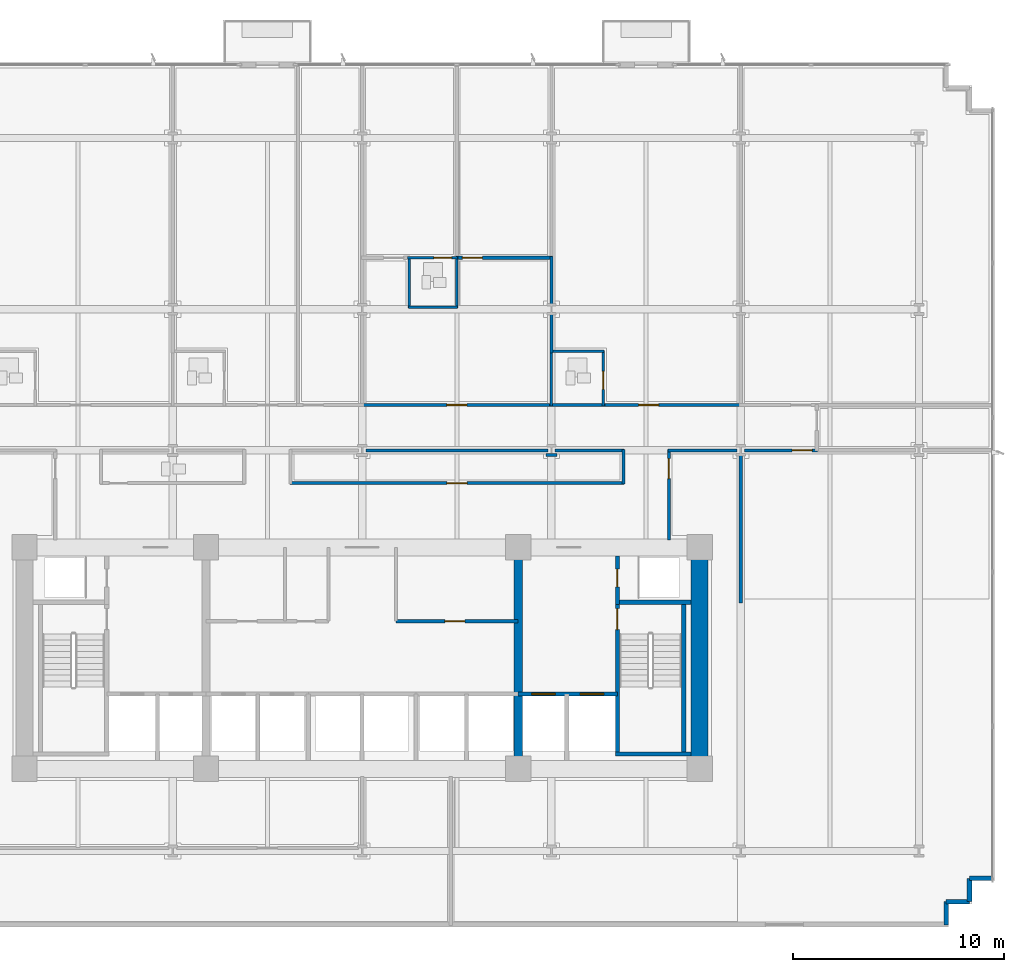
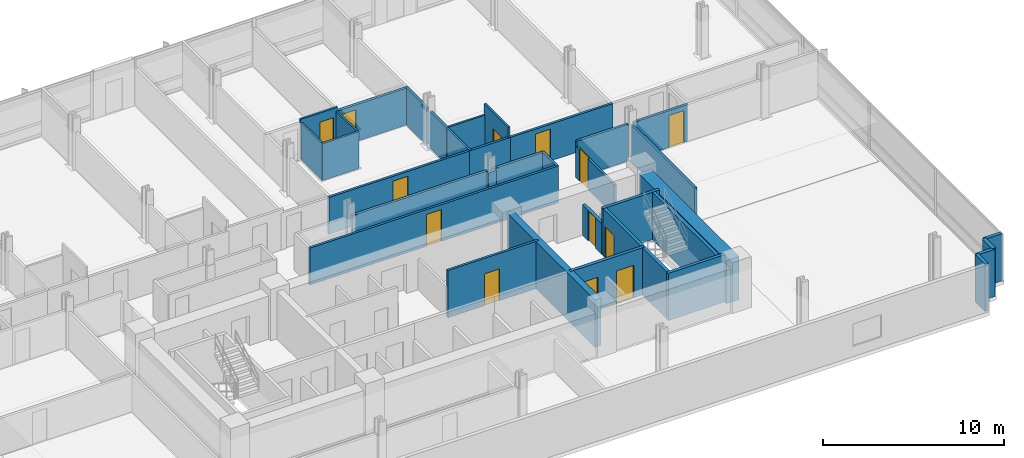
# One storey, part 10 of 16: 35 walls, 13 doors, 13 openings.
"""IFC4 building model written with IfcOpenShell, lengths in metres."""

import ifcopenshell
import ifcopenshell.guid

model = None  # the IFC model being written
_history = None  # IfcOwnerHistory: only IFC2X3 demands one
_inside = {}  # id of a spatial element -> (the spatial element, [elements in it])
_under = {}  # id of a project, library or spatial element -> (it, [spatial elements below it])
_declared = {}  # id of a project -> (the project, [libraries it declares])
_typed = {}  # id of a type object -> (the type object, [elements of that type])
_made_of = {}  # id of a material, layer set ... -> (it, [elements and type objects made of it])


def new_model(schema):
    """Start an empty IFC model of exactly this schema.

    Asked for "IFC4X3", IfcOpenShell would pick the latest addendum, in which some entities
    have other attributes; the version numbers below select the first issue.
    IFC2X3 requires an IfcOwnerHistory on every rooted entity: one is made here for all.
    """
    global model, _history
    if schema == "IFC4X3":
        model = ifcopenshell.file(schema_version=(4, 3, 0, 0))
    else:
        model = ifcopenshell.file(schema=schema)
    _inside.clear()
    _under.clear()
    _declared.clear()
    _typed.clear()
    _made_of.clear()
    _history = None
    if model.schema == "IFC2X3":
        org = make("IfcOrganization", Name="unknown")
        user = make(
            "IfcPersonAndOrganization",
            ThePerson=make("IfcPerson", FamilyName="unknown"),
            TheOrganization=org,
        )
        app = make(
            "IfcApplication",
            ApplicationDeveloper=org,
            Version="unknown",
            ApplicationFullName="unknown",
            ApplicationIdentifier="unknown",
        )
        _history = make(
            "IfcOwnerHistory",
            OwningUser=user,
            OwningApplication=app,
            ChangeAction="ADDED",
            CreationDate=0,
        )
    return model


def make(cls, **values):
    """One entity of the class cls with the attributes given. An attribute that is None is left unset."""
    return model.create_entity(
        cls, **{name: value for name, value in values.items() if value is not None}
    )


def rooted(cls, **values):
    """An entity with a GlobalId (a new one), such as an element, a storey or a relation."""
    return make(cls, GlobalId=ifcopenshell.guid.new(), OwnerHistory=_history, **values)


def si_unit(unit_type, name, prefix=None):
    """IfcSIUnit, for example si_unit("LENGTHUNIT", "METRE", prefix="MILLI")."""
    return make("IfcSIUnit", UnitType=unit_type, Prefix=prefix, Name=name)


def assignment(units):
    """IfcUnitAssignment: the units of a project."""
    return None if units is None else make("IfcUnitAssignment", Units=units)


def point(xyz):
    """IfcCartesianPoint."""
    return None if xyz is None else make("IfcCartesianPoint", Coordinates=xyz)


def direction(xyz):
    """IfcDirection."""
    return None if xyz is None else make("IfcDirection", DirectionRatios=xyz)


def frame(location, z_axis=None, x_axis=None):
    """IfcAxis2Placement3D, a coordinate frame: its origin and axes. An axis left out is left unset."""
    return make(
        "IfcAxis2Placement3D",
        Location=point(location),
        Axis=direction(z_axis),
        RefDirection=direction(x_axis),
    )


def frame_2d(location, x_axis=None):
    """IfcAxis2Placement2D, a coordinate frame in the plane: its origin and x axis."""
    return make(
        "IfcAxis2Placement2D", Location=point(location), RefDirection=direction(x_axis)
    )


def origin():
    """The frame at (0, 0, 0) with its axes left unset."""
    return frame((0.0, 0.0, 0.0))


def place(relative_to, where):
    """IfcLocalPlacement: puts the frame where relative to a parent placement (None: the world)."""
    return make(
        "IfcLocalPlacement", PlacementRelTo=relative_to, RelativePlacement=where
    )


def context(
    kind, dimensions, precision=None, world=None, true_north=None, identifier=None
):
    """IfcGeometricRepresentationContext, for example the 3D "Model" context."""
    return make(
        "IfcGeometricRepresentationContext",
        ContextIdentifier=identifier,
        ContextType=kind,
        CoordinateSpaceDimension=dimensions,
        Precision=precision,
        WorldCoordinateSystem=world,
        TrueNorth=true_north,
    )


def subcontext(parent, identifier, kind, view, scale=None):
    """IfcGeometricRepresentationSubContext, for example "Body" below "Model"."""
    return make(
        "IfcGeometricRepresentationSubContext",
        ContextIdentifier=identifier,
        ContextType=kind,
        ParentContext=parent,
        TargetScale=scale,
        TargetView=view,
    )


def project(units=None, contexts=None):
    """IfcProject with its units and contexts."""
    return rooted(
        "IfcProject",
        Name="project",
        RepresentationContexts=contexts,
        UnitsInContext=assignment(units),
    )


def spatial(cls, under=None, at=None, **own):
    """A site, building, storey or space (cls), placed at a placement, below another one or the project."""
    s = rooted(cls, ObjectPlacement=at, **own)
    if under is not None:
        _under.setdefault(under.id(), (under, []))[1].append(s)
    return s


def profile(cls, at=None, kind="AREA", **sizes):
    """A parametric profile (cls). Its sizes go by their IFC names, for example OverallWidth=200.0."""
    return make(cls, ProfileType=kind, Position=at, **sizes)


def rectangle(**sizes):
    """IfcRectangleProfileDef."""
    return profile("IfcRectangleProfileDef", **sizes)


def extrude(swept, where, along, depth):
    """IfcExtrudedAreaSolid: the profile swept, set in the frame where, extruded along a direction by depth."""
    return make(
        "IfcExtrudedAreaSolid",
        SweptArea=swept,
        Position=where,
        ExtrudedDirection=direction(along),
        Depth=depth,
    )


def shape(context_of_items, identifier, shape_type, items):
    """IfcShapeRepresentation: the items that make up one representation, for example the "Body"."""
    return make(
        "IfcShapeRepresentation",
        ContextOfItems=context_of_items,
        RepresentationIdentifier=identifier,
        RepresentationType=shape_type,
        Items=items,
    )


def material(Name=None, Category=None):
    """IfcMaterial."""
    return make("IfcMaterial", Name=Name, Category=Category)


def layer(
    of_material, thickness, ventilated=None, Name=None, Category=None, Priority=None
):
    """IfcMaterialLayer: one layer of a wall or slab, of a material (None: an air gap)."""
    return make(
        "IfcMaterialLayer",
        Material=of_material,
        LayerThickness=thickness,
        IsVentilated=ventilated,
        Name=Name,
        Category=Category,
        Priority=Priority,
    )


def layer_set(layers, Name=None):
    """IfcMaterialLayerSet."""
    return make("IfcMaterialLayerSet", MaterialLayers=layers, LayerSetName=Name)


def made_of(thing, what):
    """Note that an element or type object is made of a material, layer set ...; save() writes the relation."""
    if what is not None:
        _made_of.setdefault(what.id(), (what, []))[1].append(thing)
    return thing


def type_object(cls, material=None, **own):
    """A type object (cls), such as IfcWallType, which elements share."""
    return made_of(rooted(cls, **own), material)


def element(
    cls,
    number,
    at=None,
    inside=None,
    cuts=None,
    type_object=None,
    material=None,
    context=None,
    identifier="Body",
    shape_type=None,
    held_by="IfcProductDefinitionShape",
    body=None,
    shapes=None,
    **own,
):
    """One element of the class cls, such as IfcWall. Its Tag is "e" and its number.

    at: its placement. inside: the storey or other place that contains it. cuts: it is an
    opening in that element (IfcRelVoidsElement). A single representation is given by context,
    identifier, shape_type and body (its items); several are given by shapes. held_by: the class
    of the entity that holds the representations. save() writes the other relations.
    """
    e = rooted(cls, Tag="e%d" % number, ObjectPlacement=at, **own)
    if body is not None:
        shapes = [shape(context, identifier, shape_type, body)]
    if shapes is not None:
        e.Representation = make(held_by, Representations=shapes)
    if inside is not None:
        _inside.setdefault(inside.id(), (inside, []))[1].append(e)
    if cuts is not None:
        rooted(
            "IfcRelVoidsElement", RelatingBuildingElement=cuts, RelatedOpeningElement=e
        )
    if type_object is not None:
        _typed.setdefault(type_object.id(), (type_object, []))[1].append(e)
    return made_of(e, material)


def fill(opening, filler):
    """IfcRelFillsElement: the door or window that sits in an opening."""
    return rooted(
        "IfcRelFillsElement",
        RelatingOpeningElement=opening,
        RelatedBuildingElement=filler,
    )


def aggregate(whole, parts):
    """IfcRelAggregates: a whole, such as a stair, and the parts it consists of."""
    return rooted("IfcRelAggregates", RelatingObject=whole, RelatedObjects=parts)


def save(model, path):
    """Write the relations noted so far, then the file.

    IfcRelAggregates (storeys below a building ...), IfcRelContainedInSpatialStructure (elements
    in a storey), IfcRelDefinesByType, IfcRelAssociatesMaterial and IfcRelDeclares: one each for
    every whole, place, type object, material and project.
    """
    for whole, parts in _under.values():
        aggregate(whole, parts)
    for where, things in _inside.values():
        rooted(
            "IfcRelContainedInSpatialStructure",
            RelatedElements=things,
            RelatingStructure=where,
        )
    for kind, things in _typed.values():
        rooted("IfcRelDefinesByType", RelatedObjects=things, RelatingType=kind)
    for what, things in _made_of.values():
        rooted("IfcRelAssociatesMaterial", RelatedObjects=things, RelatingMaterial=what)
    for by, libraries in _declared.values():
        rooted("IfcRelDeclares", RelatingContext=by, RelatedDefinitions=libraries)
    model.write(path)


model = new_model("IFC4")

# Units and contexts
model_context = context("Model", 3, precision=1e-05, world=origin(), true_north=direction((0.0, 1.0)))
body_context = subcontext(model_context, "Body", "Model", "MODEL_VIEW")
ifc_project = project(units=[si_unit("LENGTHUNIT", "METRE"), si_unit("AREAUNIT", "SQUARE_METRE"), si_unit("VOLUMEUNIT", "CUBIC_METRE"), si_unit("PLANEANGLEUNIT", "RADIAN"), si_unit("MASSUNIT", "GRAM", prefix="KILO")], contexts=[model_context])

# Site, building, storey
site_placement = place(None, origin())
site = spatial("IfcSite", under=ifc_project, at=site_placement, CompositionType="ELEMENT")
building_placement = place(site_placement, origin())
building = spatial("IfcBuilding", under=site, at=building_placement, Name="Solmavex Isthmus Hotel", CompositionType="ELEMENT")
storey_placement = place(building_placement, frame((0.0, 0.0, 29.85009765625)))
storey = spatial("IfcBuildingStorey", under=building, at=storey_placement, Name="L07", CompositionType="ELEMENT", Elevation=29.85009765625)

# Walls
ifc_material_1 = material(Name="Precast Concrete C40/50", Category="concrete")
ifc_layer_1 = layer(ifc_material_1, 0.25)
ifc_layer_set_1 = layer_set([ifc_layer_1], Name="Precast Concrete C40/50")
wall_type_1 = type_object("IfcWallType", Name="EW-TWR-250", PredefinedType="STANDARD", material=ifc_layer_set_1)
wall_1_placement = place(storey_placement, frame((29.889892578125, -18.18994140625, 0.0), z_axis=(0.0, 0.0, 1.0), x_axis=(-1.0, 0.0, 0.0)))
element("IfcWall", 1, at=wall_1_placement, inside=storey, type_object=wall_type_1, Name="Serrated Corner Facade Panel L07-16", PredefinedType="STANDARD", context=body_context, shape_type="SweptSolid", body=[
    extrude(rectangle(XDim=1.099853515625, YDim=0.219970703125, at=frame_2d((0.5498046875, 0.0))), origin(), (0.0, 0.0, 1.0), 3.18994140625),
])
for number, where, z_axis, x_axis, name in (
    (2, (28.7900390625, -18.18994140625, 0.0), (0.0, 0.0, 1.0), (0.0, -1.0, 0.0), "Serrated Corner Facade Panel L07-17"),
    (3, (28.7900390625, -19.2900390625, 0.0), (0.0, 0.0, 1.0), (-1.0, 0.0, 0.0), "Serrated Corner Facade Panel L07-18"),
):
    element("IfcWall", number, at=place(storey_placement, frame(where, z_axis=z_axis, x_axis=x_axis)), inside=storey, type_object=wall_type_1, Name=name, PredefinedType="STANDARD", context=body_context, shape_type="SweptSolid", body=[
        extrude(rectangle(XDim=1.10009765625, YDim=0.219970703125, at=frame_2d((0.550048828125, 0.0))), origin(), (0.0, 0.0, 1.0), 3.18994140625),
    ])
wall_2_placement = place(storey_placement, frame((27.68994140625, -19.2900390625, 0.0), z_axis=(0.0, 0.0, 1.0), x_axis=(0.0, -1.0, 0.0)))
element("IfcWall", 4, at=wall_2_placement, inside=storey, type_object=wall_type_1, Name="Serrated Corner Facade Panel L07-19", PredefinedType="STANDARD", context=body_context, shape_type="SweptSolid", body=[
    extrude(rectangle(XDim=1.099853515625, YDim=0.219970703125, at=frame_2d((0.5498046875, 0.0))), origin(), (0.0, 0.0, 1.0), 3.18994140625),
])

# Wall, opening, door
ifc_material_2 = material(Name="Gypsum plasterboard lining", Category="gypsum")
ifc_layer_2 = layer(ifc_material_2, 0.159912109375)
ifc_layer_set_2 = layer_set([ifc_layer_2], Name="Gypsum plasterboard lining")
wall_type_2 = type_object("IfcWallType", Name="IW-COMP-160", PredefinedType="PARTITIONING", material=ifc_layer_set_2)
wall_3_placement = place(storey_placement, frame((4.447998046875, 11.238037109375, 0.0), z_axis=(0.0, 0.0, 1.0), x_axis=(1.0, 0.0, 0.0)))
wall_3 = element("IfcWall", 5, at=wall_3_placement, inside=storey, type_object=wall_type_2, Name="Interior Partition Wall W-L07-P060", PredefinedType="PARTITIONING", context=body_context, shape_type="SweptSolid", body=[
    extrude(rectangle(XDim=4.568115234375, YDim=0.159912109375, at=frame_2d((2.2841796875, 0.0))), origin(), (0.0, 0.0, 1.0), 2.4794921875),
])
opening_1_placement = place(wall_3_placement, frame((0.301025390625, 0.0, 0.0)))
opening_1 = element("IfcOpeningElement", 6, at=opening_1_placement, cuts=wall_3, Name="Opening ID-C095", PredefinedType="OPENING", context=body_context, shape_type="SweptSolid", body=[
    extrude(rectangle(XDim=0.949951171875, YDim=2.14990234375, at=frame_2d((0.47509765625, 1.074951171875))), frame((0.0, 0.08984375, 0.0), z_axis=(0.0, -1.0, 0.0), x_axis=(1.0, 0.0, 0.0)), (0.0, 0.0, 1.0), 0.179931640625),
])
ifc_material_3 = material(Name="Hardwood timber", Category="wood")
door_type_1 = type_object("IfcDoorType", Name="IDR-FD60-0950", OperationType="NOTDEFINED", PredefinedType="DOOR", material=ifc_material_3)
door_1_placement = place(opening_1_placement, origin())
door_1 = element("IfcDoor", 7, at=door_1_placement, inside=storey, type_object=door_type_1, Name="Diplomatic Hospitality Suite Sitting Lounge Door L07-12", OperationType="SINGLE_SWING_RIGHT", OverallHeight=2.14990234375, OverallWidth=0.949951171875, PredefinedType="DOOR", context=body_context, shape_type="SweptSolid", body=[
    extrude(rectangle(XDim=0.949951171875, YDim=2.14990234375, at=frame_2d((0.47509765625, 1.074951171875))), frame((0.0, 0.02490234375, 0.0), z_axis=(0.0, -1.0, 0.0), x_axis=(1.0, 0.0, 0.0)), (0.0, 0.0, 1.0), 0.050048828125),
])
fill(opening_1, door_1)

# Walls
wall_4_placement = place(storey_placement, frame((8.97607421875, 8.613037109375, 0.0), z_axis=(0.0, 0.0, 1.0), x_axis=(0.0, -1.0, 0.0)))
element("IfcWall", 8, at=wall_4_placement, inside=storey, type_object=wall_type_2, Name="Interior Partition Wall W-L07-P064", PredefinedType="PARTITIONING", context=body_context, shape_type="SweptSolid", body=[
    extrude(rectangle(XDim=1.89501953125, YDim=0.159912109375, at=frame_2d((0.947509765625, 0.0))), origin(), (0.0, 0.0, 1.0), 2.4794921875),
])
wall_5_placement = place(storey_placement, frame((8.97607421875, 11.278076171875, 0.0), z_axis=(0.0, 0.0, 1.0), x_axis=(0.0, -1.0, 0.0)))
element("IfcWall", 9, at=wall_5_placement, inside=storey, type_object=wall_type_2, Name="Interior Partition Wall W-L07-P065", PredefinedType="PARTITIONING", context=body_context, shape_type="SweptSolid", body=[
    extrude(rectangle(XDim=2.315185546875, YDim=0.159912109375, at=frame_2d((1.15771484375, 0.0))), origin(), (0.0, 0.0, 1.0), 2.4794921875),
])
wall_6_placement = place(storey_placement, frame((17.951904296875, -5.139892578125, 0.0), z_axis=(0.0, 0.0, 1.0), x_axis=(0.0, 1.0, 0.0)))
element("IfcWall", 10, at=wall_6_placement, inside=storey, type_object=wall_type_2, Name="Interior Partition Wall W-L07-P083", PredefinedType="PARTITIONING", context=body_context, shape_type="SweptSolid", body=[
    extrude(rectangle(XDim=7.06494140625, YDim=0.159912109375, at=frame_2d((3.532470703125, 0.0))), origin(), (0.0, 0.0, 1.0), 2.4794921875),
])

# Wall, opening, door
ifc_layer_3 = layer(ifc_material_2, 0.14990234375)
ifc_layer_set_3 = layer_set([ifc_layer_3], Name="Gypsum plasterboard lining")
wall_type_3 = type_object("IfcWallType", Name="IW-CORR-150", PredefinedType="PARTITIONING", material=ifc_layer_set_3)
wall_7_placement = place(storey_placement, frame((1.60009765625, -6.0, 0.0), z_axis=(0.0, 0.0, 1.0), x_axis=(1.0, 0.0, 0.0)))
wall_7 = element("IfcWall", 11, at=wall_7_placement, inside=storey, type_object=wall_type_3, Name="Interior Partition Wall W-L07-BOH-ES", PredefinedType="PARTITIONING", context=body_context, shape_type="SweptSolid", body=[
    extrude(rectangle(XDim=5.7998046875, YDim=0.14990234375, at=frame_2d((2.89990234375, 0.0))), origin(), (0.0, 0.0, 1.0), 3.18994140625),
])
opening_2_placement = place(wall_7_placement, frame((2.324951171875, 0.0, 0.0)))
opening_2 = element("IfcOpeningElement", 12, at=opening_2_placement, cuts=wall_7, Name="Opening ID-C095", PredefinedType="OPENING", context=body_context, shape_type="SweptSolid", body=[
    extrude(rectangle(XDim=0.949951171875, YDim=2.14990234375, at=frame_2d((0.47509765625, 1.074951171875))), frame((0.0, 0.0849609375, 0.0), z_axis=(0.0, -1.0, 0.0), x_axis=(1.0, 0.0, 0.0)), (0.0, 0.0, 1.0), 0.169921875),
])
door_2_placement = place(opening_2_placement, frame((0.949951171875, 0.0, 0.0), z_axis=(0.0, 0.0, 1.0), x_axis=(-1.0, 0.0, 0.0)))
door_2 = element("IfcDoor", 13, at=door_2_placement, inside=storey, type_object=door_type_1, Name="Butler Pantry Door L07", OperationType="SINGLE_SWING_RIGHT", OverallHeight=2.14990234375, OverallWidth=0.949951171875, PredefinedType="DOOR", context=body_context, shape_type="SweptSolid", body=[
    extrude(rectangle(XDim=0.949951171875, YDim=2.14990234375, at=frame_2d((0.47509765625, 1.074951171875))), frame((0.0, 0.02490234375, 0.0), z_axis=(0.0, -1.0, 0.0), x_axis=(1.0, 0.0, 0.0)), (0.0, 0.0, 1.0), 0.050048828125),
])
fill(opening_2, door_2)

wall_8_placement = place(storey_placement, frame((-0.08203125, 4.25, 0.0), z_axis=(0.0, 0.0, 1.0), x_axis=(1.0, 0.0, 0.0)))
wall_8 = element("IfcWall", 14, at=wall_8_placement, inside=storey, type_object=wall_type_3, Name="Interior Partition Wall W-L07-P007", PredefinedType="PARTITIONING", context=body_context, shape_type="SweptSolid", body=[
    extrude(rectangle(XDim=9.14013671875, YDim=0.14990234375, at=frame_2d((4.570068359375, 0.0))), origin(), (0.0, 0.0, 1.0), 2.4794921875),
])
opening_3_placement = place(wall_8_placement, frame((4.094970703125, 0.0, 0.0)))
opening_3 = element("IfcOpeningElement", 15, at=opening_3_placement, cuts=wall_8, Name="Opening ID-C095", PredefinedType="OPENING", context=body_context, shape_type="SweptSolid", body=[
    extrude(rectangle(XDim=0.949951171875, YDim=2.14990234375, at=frame_2d((0.47509765625, 1.074951171875))), frame((0.0, 0.0849609375, 0.0), z_axis=(0.0, -1.0, 0.0), x_axis=(1.0, 0.0, 0.0)), (0.0, 0.0, 1.0), 0.169921875),
])
door_3_placement = place(opening_3_placement, origin())
door_3 = element("IfcDoor", 16, at=door_3_placement, inside=storey, type_object=door_type_1, Name="Diplomatic Hospitality Suite Reception Foyer Door L07-10", OperationType="SINGLE_SWING_RIGHT", OverallHeight=2.14990234375, OverallWidth=0.949951171875, PredefinedType="DOOR", context=body_context, shape_type="SweptSolid", body=[
    extrude(rectangle(XDim=0.949951171875, YDim=2.14990234375, at=frame_2d((0.47509765625, 1.074951171875))), frame((0.0, 0.02490234375, 0.0), z_axis=(0.0, -1.0, 0.0), x_axis=(1.0, 0.0, 0.0)), (0.0, 0.0, 1.0), 0.050048828125),
])
fill(opening_3, door_3)

wall_9_placement = place(storey_placement, frame((11.343994140625, 4.25, 0.0), z_axis=(0.0, 0.0, 1.0), x_axis=(1.0, 0.0, 0.0)))
wall_9 = element("IfcWall", 17, at=wall_9_placement, inside=storey, type_object=wall_type_3, Name="Interior Partition Wall W-L07-P008", PredefinedType="PARTITIONING", context=body_context, shape_type="SweptSolid", body=[
    extrude(rectangle(XDim=6.68994140625, YDim=0.14990234375, at=frame_2d((3.344970703125, 0.0))), origin(), (0.0, 0.0, 1.0), 2.4794921875),
])
opening_4_placement = place(wall_9_placement, frame((1.759521484375, 0.0, 0.0)))
opening_4 = element("IfcOpeningElement", 18, at=opening_4_placement, cuts=wall_9, Name="Opening ID-C095", PredefinedType="OPENING", context=body_context, shape_type="SweptSolid", body=[
    extrude(rectangle(XDim=0.949951171875, YDim=2.14990234375, at=frame_2d((0.47509765625, 1.074951171875))), frame((0.0, 0.0849609375, 0.0), z_axis=(0.0, -1.0, 0.0), x_axis=(1.0, 0.0, 0.0)), (0.0, 0.0, 1.0), 0.169921875),
])
door_4_placement = place(opening_4_placement, origin())
door_4 = element("IfcDoor", 19, at=door_4_placement, inside=storey, type_object=door_type_1, Name="Diplomatic Suite Door L07-14", OperationType="SINGLE_SWING_RIGHT", OverallHeight=2.14990234375, OverallWidth=0.949951171875, PredefinedType="DOOR", context=body_context, shape_type="SweptSolid", body=[
    extrude(rectangle(XDim=0.949951171875, YDim=2.14990234375, at=frame_2d((0.47509765625, 1.074951171875))), frame((0.0, 0.02490234375, 0.0), z_axis=(0.0, -1.0, 0.0), x_axis=(1.0, 0.0, 0.0)), (0.0, 0.0, 1.0), 0.050048828125),
])
fill(opening_4, door_4)

# Walls
wall_10_placement = place(storey_placement, frame((8.89404296875, 4.25, 0.0), z_axis=(0.0, 0.0, 1.0), x_axis=(1.0, 0.0, 0.0)))
element("IfcWall", 20, at=wall_10_placement, inside=storey, type_object=wall_type_3, Name="Interior Partition Wall W-L07-P009", PredefinedType="PARTITIONING", context=body_context, shape_type="SweptSolid", body=[
    extrude(rectangle(XDim=2.614013671875, YDim=0.14990234375, at=frame_2d((1.30712890625, 0.0))), origin(), (0.0, 0.0, 1.0), 2.4794921875),
])
wall_11_placement = place(storey_placement, frame((8.801025390625, 2.10009765625, 0.0), z_axis=(0.0, 0.0, 1.0), x_axis=(-1.0, 0.0, 0.0)))
element("IfcWall", 21, at=wall_11_placement, inside=storey, type_object=wall_type_3, Name="Interior Partition Wall W-L07-P019", PredefinedType="PARTITIONING", context=body_context, shape_type="SweptSolid", body=[
    extrude(rectangle(XDim=8.6259765625, YDim=0.14990234375, at=frame_2d((4.31298828125, 0.0))), origin(), (0.0, 0.0, 1.0), 2.4794921875),
])

# Wall, opening, door
wall_12_placement = place(storey_placement, frame((-3.427978515625, 0.550048828125, 0.0), z_axis=(0.0, 0.0, 1.0), x_axis=(1.0, 0.0, 0.0)))
wall_12 = element("IfcWall", 22, at=wall_12_placement, inside=storey, type_object=wall_type_3, Name="Interior Partition Wall W-L07-P023", PredefinedType="PARTITIONING", context=body_context, shape_type="SweptSolid", body=[
    extrude(rectangle(XDim=15.85205078125, YDim=0.14990234375, at=frame_2d((7.926025390625, 0.0))), origin(), (0.0, 0.0, 1.0), 2.4794921875),
])
opening_5_placement = place(wall_12_placement, frame((7.450927734375, 0.0, 0.0)))
opening_5 = element("IfcOpeningElement", 23, at=opening_5_placement, cuts=wall_12, Name="Opening ID-C095", PredefinedType="OPENING", context=body_context, shape_type="SweptSolid", body=[
    extrude(rectangle(XDim=0.949951171875, YDim=2.14990234375, at=frame_2d((0.47509765625, 1.074951171875))), frame((0.0, 0.0849609375, 0.0), z_axis=(0.0, -1.0, 0.0), x_axis=(1.0, 0.0, 0.0)), (0.0, 0.0, 1.0), 0.169921875),
])
door_5_placement = place(opening_5_placement, origin())
door_5 = element("IfcDoor", 24, at=door_5_placement, inside=storey, type_object=door_type_1, Name="Business Briefing Office Door L07-20", OperationType="SINGLE_SWING_RIGHT", OverallHeight=2.14990234375, OverallWidth=0.949951171875, PredefinedType="DOOR", context=body_context, shape_type="SweptSolid", body=[
    extrude(rectangle(XDim=0.949951171875, YDim=2.14990234375, at=frame_2d((0.47509765625, 1.074951171875))), frame((0.0, 0.02490234375, 0.0), z_axis=(0.0, -1.0, 0.0), x_axis=(1.0, 0.0, 0.0)), (0.0, 0.0, 1.0), 0.050048828125),
])
fill(opening_5, door_5)

# Walls
wall_13_placement = place(storey_placement, frame((12.384033203125, 0.510009765625, 0.0), z_axis=(0.0, 0.0, 1.0), x_axis=(0.0, 1.0, 0.0)))
element("IfcWall", 25, at=wall_13_placement, inside=storey, type_object=wall_type_3, Name="Interior Partition Wall W-L07-P024", PredefinedType="PARTITIONING", context=body_context, shape_type="SweptSolid", body=[
    extrude(rectangle(XDim=1.6298828125, YDim=0.14990234375, at=frame_2d((0.81494140625, 0.0))), origin(), (0.0, 0.0, 1.0), 2.4794921875),
])
wall_14_placement = place(storey_placement, frame((12.424072265625, 2.10009765625, 0.0), z_axis=(0.0, 0.0, 1.0), x_axis=(-1.0, 0.0, 0.0)))
element("IfcWall", 26, at=wall_14_placement, inside=storey, type_object=wall_type_3, Name="Interior Partition Wall W-L07-P025", PredefinedType="PARTITIONING", context=body_context, shape_type="SweptSolid", body=[
    extrude(rectangle(XDim=3.273193359375, YDim=0.14990234375, at=frame_2d((1.63671875, 0.0))), origin(), (0.0, 0.0, 1.0), 2.4794921875),
])
wall_15_placement = place(storey_placement, frame((9.23095703125, 1.885009765625, 0.0), z_axis=(0.0, 0.0, 1.0), x_axis=(-1.0, 0.0, 0.0)))
element("IfcWall", 27, at=wall_15_placement, inside=storey, type_object=wall_type_3, Name="Interior Partition Wall W-L07-P026", PredefinedType="PARTITIONING", context=body_context, shape_type="SweptSolid", body=[
    extrude(rectangle(XDim=0.510009765625, YDim=0.14990234375, at=frame_2d((0.2548828125, 0.0))), origin(), (0.0, 0.0, 1.0), 2.4794921875),
])

# Wall, opening, door
wall_16_placement = place(storey_placement, frame((21.592041015625, 2.10009765625, 0.0), z_axis=(0.0, 0.0, 1.0), x_axis=(-1.0, 0.0, 0.0)))
wall_16 = element("IfcWall", 28, at=wall_16_placement, inside=storey, type_object=wall_type_3, Name="Interior Partition Wall W-L07-P028", PredefinedType="PARTITIONING", context=body_context, shape_type="SweptSolid", body=[
    extrude(rectangle(XDim=3.465087890625, YDim=0.14990234375, at=frame_2d((1.732421875, 0.0))), origin(), (0.0, 0.0, 1.0), 2.4794921875),
])
opening_6_placement = place(wall_16_placement, frame((0.26220703125, 0.0, 0.0)))
opening_6 = element("IfcOpeningElement", 29, at=opening_6_placement, cuts=wall_16, Name="Opening ID-C095", PredefinedType="OPENING", context=body_context, shape_type="SweptSolid", body=[
    extrude(rectangle(XDim=0.949951171875, YDim=2.14990234375, at=frame_2d((0.47509765625, 1.074951171875))), frame((0.0, 0.0849609375, 0.0), z_axis=(0.0, -1.0, 0.0), x_axis=(1.0, 0.0, 0.0)), (0.0, 0.0, 1.0), 0.169921875),
])
door_6_placement = place(opening_6_placement, origin())
door_6 = element("IfcDoor", 30, at=door_6_placement, inside=storey, type_object=door_type_1, Name="Business Briefing Office Door L07-22", OperationType="SINGLE_SWING_RIGHT", OverallHeight=2.14990234375, OverallWidth=0.949951171875, PredefinedType="DOOR", context=body_context, shape_type="SweptSolid", body=[
    extrude(rectangle(XDim=0.949951171875, YDim=2.14990234375, at=frame_2d((0.47509765625, 1.074951171875))), frame((0.0, 0.02490234375, 0.0), z_axis=(0.0, -1.0, 0.0), x_axis=(1.0, 0.0, 0.0)), (0.0, 0.0, 1.0), 0.050048828125),
])
fill(opening_6, door_6)

# Wall
wall_17_placement = place(storey_placement, frame((17.777099609375, 2.10009765625, 0.0), z_axis=(0.0, 0.0, 1.0), x_axis=(-1.0, 0.0, 0.0)))
element("IfcWall", 31, at=wall_17_placement, inside=storey, type_object=wall_type_3, Name="Interior Partition Wall W-L07-P031", PredefinedType="PARTITIONING", context=body_context, shape_type="SweptSolid", body=[
    extrude(rectangle(XDim=3.273193359375, YDim=0.14990234375, at=frame_2d((1.63671875, 0.0))), origin(), (0.0, 0.0, 1.0), 2.4794921875),
])

# Wall, opening, door
wall_18_placement = place(storey_placement, frame((14.5439453125, 2.139892578125, 0.0), z_axis=(0.0, 0.0, 1.0), x_axis=(0.0, -1.0, 0.0)))
wall_18 = element("IfcWall", 32, at=wall_18_placement, inside=storey, type_object=wall_type_3, Name="Interior Partition Wall W-L07-P032", PredefinedType="PARTITIONING", context=body_context, shape_type="SweptSolid", body=[
    extrude(rectangle(XDim=4.27978515625, YDim=0.14990234375, at=frame_2d((2.139892578125, 0.0))), origin(), (0.0, 0.0, 1.0), 2.074951171875),
])
opening_7_placement = place(wall_18_placement, frame((0.43017578125, 0.0, 0.0)))
opening_7 = element("IfcOpeningElement", 33, at=opening_7_placement, cuts=wall_18, Name="Opening ID-C095", PredefinedType="OPENING", context=body_context, shape_type="SweptSolid", body=[
    extrude(rectangle(XDim=0.949951171875, YDim=2.14990234375, at=frame_2d((0.47509765625, 1.074951171875))), frame((0.0, 0.0849609375, 0.0), z_axis=(0.0, -1.0, 0.0), x_axis=(1.0, 0.0, 0.0)), (0.0, 0.0, 1.0), 0.169921875),
])
door_7_placement = place(opening_7_placement, frame((0.949951171875, 0.0, 0.0), z_axis=(0.0, 0.0, 1.0), x_axis=(-1.0, 0.0, 0.0)))
door_7 = element("IfcDoor", 34, at=door_7_placement, inside=storey, type_object=door_type_1, Name="Executive Hospitality Lounge Door L07-24", OperationType="SINGLE_SWING_RIGHT", OverallHeight=2.14990234375, OverallWidth=0.949951171875, PredefinedType="DOOR", context=body_context, shape_type="SweptSolid", body=[
    extrude(rectangle(XDim=0.949951171875, YDim=2.14990234375, at=frame_2d((0.47509765625, 1.074951171875))), frame((0.0, 0.02490234375, 0.0), z_axis=(0.0, -1.0, 0.0), x_axis=(1.0, 0.0, 0.0)), (0.0, 0.0, 1.0), 0.050048828125),
])
fill(opening_7, door_7)

# Walls
ifc_layer_4 = layer(ifc_material_2, 0.1201171875)
ifc_layer_set_4 = layer_set([ifc_layer_4], Name="Gypsum plasterboard lining")
wall_type_4 = type_object("IfcWallType", Name="IW-PART-120", PredefinedType="PARTITIONING", material=ifc_layer_set_4)
wall_19_placement = place(storey_placement, frame((2.238037109375, 11.278076171875, 0.0), z_axis=(0.0, 0.0, 1.0), x_axis=(0.0, -1.0, 0.0)))
element("IfcWall", 35, at=wall_19_placement, inside=storey, type_object=wall_type_4, Name="Interior Partition Wall W-L07-P061", PredefinedType="PARTITIONING", context=body_context, shape_type="SweptSolid", body=[
    extrude(rectangle(XDim=2.43017578125, YDim=0.1201171875, at=frame_2d((1.215087890625, 0.0))), origin(), (0.0, 0.0, 1.0), 2.4794921875),
])
wall_20_placement = place(storey_placement, frame((2.197998046875, 8.887939453125, 0.0), z_axis=(0.0, 0.0, 1.0), x_axis=(1.0, 0.0, 0.0)))
element("IfcWall", 36, at=wall_20_placement, inside=storey, type_object=wall_type_4, Name="Interior Partition Wall W-L07-P062", PredefinedType="PARTITIONING", context=body_context, shape_type="SweptSolid", body=[
    extrude(rectangle(XDim=2.330078125, YDim=0.1201171875, at=frame_2d((1.1650390625, 0.0))), origin(), (0.0, 0.0, 1.0), 2.4794921875),
])
wall_21_placement = place(storey_placement, frame((4.488037109375, 8.847900390625, 0.0), z_axis=(0.0, 0.0, 1.0), x_axis=(0.0, 1.0, 0.0)))
element("IfcWall", 37, at=wall_21_placement, inside=storey, type_object=wall_type_4, Name="Interior Partition Wall W-L07-P063", PredefinedType="PARTITIONING", context=body_context, shape_type="SweptSolid", body=[
    extrude(rectangle(XDim=2.43017578125, YDim=0.1201171875, at=frame_2d((1.215087890625, 0.0))), origin(), (0.0, 0.0, 1.0), 2.4794921875),
])
wall_22_placement = place(storey_placement, frame((8.97607421875, 6.882080078125, 0.0), z_axis=(0.0, 0.0, 1.0), x_axis=(0.0, -1.0, 0.0)))
element("IfcWall", 38, at=wall_22_placement, inside=storey, type_object=wall_type_4, Name="Interior Partition Wall W-L07-P066", PredefinedType="PARTITIONING", context=body_context, shape_type="SweptSolid", body=[
    extrude(rectangle(XDim=2.672119140625, YDim=0.1201171875, at=frame_2d((1.3359375, 0.0))), origin(), (0.0, 0.0, 1.0), 2.4794921875),
])

# Wall, opening, door
wall_23_placement = place(storey_placement, frame((4.528076171875, 11.238037109375, 0.0), z_axis=(0.0, 0.0, 1.0), x_axis=(-1.0, 0.0, 0.0)))
wall_23 = element("IfcWall", 39, at=wall_23_placement, inside=storey, type_object=wall_type_4, Name="Interior Partition Wall W-L07-P068", PredefinedType="PARTITIONING", context=body_context, shape_type="SweptSolid", body=[
    extrude(rectangle(XDim=2.3720703125, YDim=0.1201171875, at=frame_2d((1.18603515625, 0.0))), origin(), (0.0, 0.0, 1.0), 2.718017578125),
])
opening_8_placement = place(wall_23_placement, frame((0.27978515625, 0.0, 0.0)))
opening_8 = element("IfcOpeningElement", 40, at=opening_8_placement, cuts=wall_23, Name="Opening ID-U085", PredefinedType="OPENING", context=body_context, shape_type="SweptSolid", body=[
    extrude(rectangle(XDim=0.85009765625, YDim=2.10009765625, at=frame_2d((0.425048828125, 1.050048828125))), frame((0.0, 0.070068359375, 0.0), z_axis=(0.0, -1.0, 0.0), x_axis=(1.0, 0.0, 0.0)), (0.0, 0.0, 1.0), 0.14013671875),
])
door_type_2 = type_object("IfcDoorType", Name="IDR-UNR-0850", OperationType="NOTDEFINED", PredefinedType="DOOR", material=ifc_material_3)
door_8_placement = place(opening_8_placement, frame((0.85009765625, 0.0, 0.0), z_axis=(0.0, 0.0, 1.0), x_axis=(-1.0, 0.0, 0.0)))
door_8 = element("IfcDoor", 41, at=door_8_placement, inside=storey, type_object=door_type_2, Name="En-suite Bathroom Door L07-13", OperationType="SINGLE_SWING_LEFT", OverallHeight=2.10009765625, OverallWidth=0.85009765625, PredefinedType="DOOR", context=body_context, shape_type="SweptSolid", body=[
    extrude(rectangle(XDim=0.85009765625, YDim=2.10009765625, at=frame_2d((0.425048828125, 1.050048828125))), frame((0.0, 0.02490234375, 0.0), z_axis=(0.0, -1.0, 0.0), x_axis=(1.0, 0.0, 0.0)), (0.0, 0.0, 1.0), 0.050048828125),
])
fill(opening_8, door_8)

wall_24_placement = place(storey_placement, frame((11.426025390625, 4.2099609375, 0.0), z_axis=(0.0, 0.0, 1.0), x_axis=(0.0, 1.0, 0.0)))
wall_24 = element("IfcWall", 42, at=wall_24_placement, inside=storey, type_object=wall_type_4, Name="Interior Partition Wall W-L07-P071", PredefinedType="PARTITIONING", context=body_context, shape_type="SweptSolid", body=[
    extrude(rectangle(XDim=2.630126953125, YDim=0.1201171875, at=frame_2d((1.31494140625, 0.0))), origin(), (0.0, 0.0, 1.0), 3.18994140625),
])
opening_9_placement = place(wall_24_placement, frame((0.782958984375, 0.0, 0.0)))
opening_9 = element("IfcOpeningElement", 43, at=opening_9_placement, cuts=wall_24, Name="Opening ID-U085", PredefinedType="OPENING", context=body_context, shape_type="SweptSolid", body=[
    extrude(rectangle(XDim=0.85009765625, YDim=2.10009765625, at=frame_2d((0.425048828125, 1.050048828125))), frame((0.0, 0.070068359375, 0.0), z_axis=(0.0, -1.0, 0.0), x_axis=(1.0, 0.0, 0.0)), (0.0, 0.0, 1.0), 0.14013671875),
])
door_9_placement = place(opening_9_placement, frame((0.85009765625, 0.0, 0.0), z_axis=(0.0, 0.0, 1.0), x_axis=(-1.0, 0.0, 0.0)))
door_9 = element("IfcDoor", 44, at=door_9_placement, inside=storey, type_object=door_type_2, Name="En-suite Bathroom Door L07-15", OperationType="SINGLE_SWING_LEFT", OverallHeight=2.10009765625, OverallWidth=0.85009765625, PredefinedType="DOOR", context=body_context, shape_type="SweptSolid", body=[
    extrude(rectangle(XDim=0.85009765625, YDim=2.10009765625, at=frame_2d((0.425048828125, 1.050048828125))), frame((0.0, 0.02490234375, 0.0), z_axis=(0.0, -1.0, 0.0), x_axis=(1.0, 0.0, 0.0)), (0.0, 0.0, 1.0), 0.050048828125),
])
fill(opening_9, door_9)

# Wall
wall_25_placement = place(storey_placement, frame((11.466064453125, 6.800048828125, 0.0), z_axis=(0.0, 0.0, 1.0), x_axis=(-1.0, 0.0, 0.0)))
element("IfcWall", 45, at=wall_25_placement, inside=storey, type_object=wall_type_4, Name="Interior Partition Wall W-L07-P072", PredefinedType="PARTITIONING", context=body_context, shape_type="SweptSolid", body=[
    extrude(rectangle(XDim=2.530029296875, YDim=0.1201171875, at=frame_2d((1.26513671875, 0.0))), origin(), (0.0, 0.0, 1.0), 2.4794921875),
])

# Wall, opening, door
ifc_material_4 = material(Name="Concrete C40/50", Category="concrete")
ifc_layer_5 = layer(ifc_material_4, 0.199951171875)
ifc_layer_set_5 = layer_set([ifc_layer_5], Name="Concrete C40/50")
wall_type_5 = type_object("IfcWallType", Name="IW-SHAFT-200", PredefinedType="PARTITIONING", material=ifc_layer_set_5)
wall_26_placement = place(storey_placement, frame((12.10009765625, -5.199951171875, 0.0), z_axis=(0.0, 0.0, 1.0), x_axis=(0.0, 1.0, 0.0)))
wall_26 = element("IfcWall", 46, at=wall_26_placement, inside=storey, type_object=wall_type_5, Name="Interior Partition Wall W-L07-RSE-W", PredefinedType="PARTITIONING", context=body_context, shape_type="SweptSolid", body=[
    extrude(rectangle(XDim=2.300048828125, YDim=0.199951171875, at=frame_2d((1.14990234375, 0.0))), origin(), (0.0, 0.0, 1.0), 2.074951171875),
])
opening_10_placement = place(wall_26_placement, frame((0.824951171875, 0.0, 0.0)))
opening_10 = element("IfcOpeningElement", 47, at=opening_10_placement, cuts=wall_26, Name="Opening ID-R085", PredefinedType="OPENING", context=body_context, shape_type="SweptSolid", body=[
    extrude(rectangle(XDim=0.85009765625, YDim=2.050048828125, at=frame_2d((0.425048828125, 1.02490234375))), frame((0.0, 0.10986328125, 0.0), z_axis=(0.0, -1.0, 0.0), x_axis=(1.0, 0.0, 0.0)), (0.0, 0.0, 1.0), 0.219970703125),
])
ifc_material_5 = material(Name="Steel ASTM A500 Grade C", Category="steel")
door_type_3 = type_object("IfcDoorType", Name="IDR-FD60-0850", OperationType="NOTDEFINED", PredefinedType="DOOR", material=ifc_material_5)
door_10_placement = place(opening_10_placement, frame((0.85009765625, 0.0, 0.0), z_axis=(0.0, 0.0, 1.0), x_axis=(-1.0, 0.0, 0.0)))
door_10 = element("IfcDoor", 48, at=door_10_placement, inside=storey, type_object=door_type_3, Name="Mechanical Riser Door L07", OperationType="SINGLE_SWING_LEFT", OverallHeight=2.050048828125, OverallWidth=0.85009765625, PredefinedType="DOOR", context=body_context, shape_type="SweptSolid", body=[
    extrude(rectangle(XDim=0.85009765625, YDim=2.050048828125, at=frame_2d((0.425048828125, 1.02490234375))), frame((0.0, 0.02490234375, 0.0), z_axis=(0.0, -1.0, 0.0), x_axis=(1.0, 0.0, 0.0)), (0.0, 0.0, 1.0), 0.050048828125),
])
fill(opening_10, door_10)

# Wall, openings, doors
wall_27_placement = place(storey_placement, frame((7.39990234375, -9.449951171875, 0.0), z_axis=(0.0, 0.0, 1.0), x_axis=(1.0, 0.0, 0.0)))
wall_27 = element("IfcWall", 49, at=wall_27_placement, inside=storey, type_object=wall_type_5, Name="Interior Partition Wall W-L07-FFLE-S", PredefinedType="PARTITIONING", context=body_context, shape_type="SweptSolid", body=[
    extrude(rectangle(XDim=4.7001953125, YDim=0.199951171875, at=frame_2d((2.35009765625, 0.0))), origin(), (0.0, 0.0, 1.0), 3.18994140625),
])
opening_11_placement = place(wall_27_placement, frame((2.949951171875, 0.0, 0.0)))
opening_11 = element("IfcOpeningElement", 50, at=opening_11_placement, cuts=wall_27, Name="Opening LD-FF", PredefinedType="OPENING", context=body_context, shape_type="SweptSolid", body=[
    extrude(rectangle(XDim=1.10009765625, YDim=2.199951171875, at=frame_2d((0.550048828125, 1.10009765625))), frame((0.0, 0.10986328125, 0.0), z_axis=(0.0, -1.0, 0.0), x_axis=(1.0, 0.0, 0.0)), (0.0, 0.0, 1.0), 0.219970703125),
])
opening_12_placement = place(wall_27_placement, frame((0.64990234375, 0.0, 0.0)))
opening_12 = element("IfcOpeningElement", 51, at=opening_12_placement, cuts=wall_27, Name="Opening LD-SV", PredefinedType="OPENING", context=body_context, shape_type="SweptSolid", body=[
    extrude(rectangle(XDim=1.10009765625, YDim=2.199951171875, at=frame_2d((0.550048828125, 1.10009765625))), frame((0.0, 0.10986328125, 0.0), z_axis=(0.0, -1.0, 0.0), x_axis=(1.0, 0.0, 0.0)), (0.0, 0.0, 1.0), 0.219970703125),
])
ifc_material_6 = material(Name="Stainless steel 316", Category="steel")
door_type_4 = type_object("IfcDoorType", Name="LDR-FF-1100", OperationType="NOTDEFINED", PredefinedType="DOOR", material=ifc_material_6)
door_11_placement = place(opening_11_placement, origin())
door_11 = element("IfcDoor", 52, at=door_11_placement, inside=storey, type_object=door_type_4, Name="Lift Landing Door FFL-2 L07", OperationType="SLIDING_TO_LEFT", OverallHeight=2.199951171875, OverallWidth=1.10009765625, PredefinedType="DOOR", context=body_context, shape_type="SweptSolid", body=[
    extrude(rectangle(XDim=1.10009765625, YDim=2.199951171875, at=frame_2d((0.550048828125, 1.10009765625))), frame((0.0, 0.02490234375, 0.0), z_axis=(0.0, -1.0, 0.0), x_axis=(1.0, 0.0, 0.0)), (0.0, 0.0, 1.0), 0.050048828125),
])
fill(opening_11, door_11)
door_type_5 = type_object("IfcDoorType", Name="LDR-SV-1100", OperationType="NOTDEFINED", PredefinedType="DOOR", material=ifc_material_6)
door_12_placement = place(opening_12_placement, origin())
door_12 = element("IfcDoor", 53, at=door_12_placement, inside=storey, type_object=door_type_5, Name="Lift Landing Door SVL-2 L07", OperationType="SLIDING_TO_RIGHT", OverallHeight=2.199951171875, OverallWidth=1.10009765625, PredefinedType="DOOR", context=body_context, shape_type="SweptSolid", body=[
    extrude(rectangle(XDim=1.10009765625, YDim=2.199951171875, at=frame_2d((0.550048828125, 1.10009765625))), frame((0.0, 0.02490234375, 0.0), z_axis=(0.0, -1.0, 0.0), x_axis=(1.0, 0.0, 0.0)), (0.0, 0.0, 1.0), 0.050048828125),
])
fill(opening_12, door_12)

# Walls
ifc_material_7 = material(Name="Concrete C70/85", Category="concrete")
ifc_layer_6 = layer(ifc_material_7, 0.39990234375)
ifc_layer_set_6 = layer_set([ifc_layer_6], Name="Concrete C70/85")
wall_type_6 = type_object("IfcWallType", Name="WALL-CW-400L", PredefinedType="SHEAR", material=ifc_layer_set_6)
wall_28_placement = place(storey_placement, frame((7.39990234375, -12.60009765625, 0.0), z_axis=(0.0, 0.0, 1.0), x_axis=(0.0, 1.0, 0.0)))
element("IfcWall", 54, at=wall_28_placement, inside=storey, type_object=wall_type_6, Name="Core Cross Shear Wall C2 L07", PredefinedType="SHEAR", context=body_context, shape_type="SweptSolid", body=[
    extrude(rectangle(XDim=9.7001953125, YDim=0.39990234375, at=frame_2d((4.85009765625, 0.0))), origin(), (0.0, 0.0, 1.0), 3.18994140625),
])
ifc_layer_7 = layer(ifc_material_7, 0.800048828125)
ifc_layer_set_7 = layer_set([ifc_layer_7], Name="Concrete C70/85")
wall_type_7 = type_object("IfcWallType", Name="WALL-CW-800", PredefinedType="SHEAR", material=ifc_layer_set_7)
wall_29_placement = place(storey_placement, frame((16.0, -12.60009765625, 0.0), z_axis=(0.0, 0.0, 1.0), x_axis=(0.0, 1.0, 0.0)))
element("IfcWall", 55, at=wall_29_placement, inside=storey, type_object=wall_type_7, Name="Core Shear Wall East L07", PredefinedType="SHEAR", context=body_context, shape_type="SweptSolid", body=[
    extrude(rectangle(XDim=9.7001953125, YDim=0.800048828125, at=frame_2d((4.85009765625, 0.0))), origin(), (0.0, 0.0, 1.0), 2.909912109375),
])
ifc_layer_8 = layer(ifc_material_4, 0.199951171875)
ifc_layer_set_8 = layer_set([ifc_layer_8], Name="Concrete C40/50")
wall_type_8 = type_object("IfcWallType", Name="WALL-SW-200", PredefinedType="SOLIDWALL", material=ifc_layer_set_8)
for number, where, z_axis, x_axis, name in (
    (56, (12.0, -12.300048828125, 0.0), (0.0, 0.0, 1.0), (1.0, 0.0, 0.0), "Stairwell Structural Wall SW-L07-ST2-S"),
    (57, (12.0, -5.10009765625, 0.0), (0.0, 0.0, 1.0), (1.0, 0.0, 0.0), "Stairwell Structural Wall SW-L07-ST2-N"),
):
    element("IfcWall", number, at=place(storey_placement, frame(where, z_axis=z_axis, x_axis=x_axis)), inside=storey, type_object=wall_type_8, Name=name, PredefinedType="SOLIDWALL", context=body_context, shape_type="SweptSolid", body=[
        extrude(rectangle(XDim=3.60009765625, YDim=0.199951171875, at=frame_2d((1.800048828125, 0.0))), origin(), (0.0, 0.0, 1.0), 3.18994140625),
    ])

# Wall, opening, door
wall_30_placement = place(storey_placement, frame((12.10009765625, -12.199951171875, 0.0), z_axis=(0.0, 0.0, 1.0), x_axis=(0.0, 1.0, 0.0)))
wall_30 = element("IfcWall", 58, at=wall_30_placement, inside=storey, type_object=wall_type_8, Name="Stairwell Structural Wall SW-L07-ST2-W", PredefinedType="SOLIDWALL", context=body_context, shape_type="SweptSolid", body=[
    extrude(rectangle(XDim=7.0, YDim=0.199951171875, at=frame_2d((3.5, 0.0))), origin(), (0.0, 0.0, 1.0), 3.18994140625),
])
opening_13_placement = place(wall_30_placement, frame((5.800048828125, 0.0, 0.0)))
opening_13 = element("IfcOpeningElement", 59, at=opening_13_placement, cuts=wall_30, Name="Opening ID-F100", PredefinedType="OPENING", context=body_context, shape_type="SweptSolid", body=[
    extrude(rectangle(XDim=1.0, YDim=2.10009765625, at=frame_2d((0.5, 1.050048828125))), frame((0.0, 0.10986328125, 0.0), z_axis=(0.0, -1.0, 0.0), x_axis=(1.0, 0.0, 0.0)), (0.0, 0.0, 1.0), 0.219970703125),
])
door_type_6 = type_object("IfcDoorType", Name="IDR-FD90-1000", OperationType="NOTDEFINED", PredefinedType="DOOR", material=ifc_material_5)
door_13_placement = place(opening_13_placement, origin())
door_13 = element("IfcDoor", 60, at=door_13_placement, inside=storey, type_object=door_type_6, Name="Stair ST-2 Fire Door L07", OperationType="SINGLE_SWING_RIGHT", OverallHeight=2.10009765625, OverallWidth=1.0, PredefinedType="DOOR", context=body_context, shape_type="SweptSolid", body=[
    extrude(rectangle(XDim=1.0, YDim=2.10009765625, at=frame_2d((0.5, 1.050048828125))), frame((0.0, 0.02490234375, 0.0), z_axis=(0.0, -1.0, 0.0), x_axis=(1.0, 0.0, 0.0)), (0.0, 0.0, 1.0), 0.050048828125),
])
fill(opening_13, door_13)

# Wall
wall_31_placement = place(storey_placement, frame((15.25, -12.199951171875, 0.0), z_axis=(0.0, 0.0, 1.0), x_axis=(0.0, 1.0, 0.0)))
element("IfcWall", 61, at=wall_31_placement, inside=storey, type_object=wall_type_8, Name="Stairwell Structural Wall SW-L07-ST2-E", PredefinedType="SOLIDWALL", context=body_context, shape_type="SweptSolid", body=[
    extrude(rectangle(XDim=7.0, YDim=0.199951171875, at=frame_2d((3.5, 0.0))), origin(), (0.0, 0.0, 1.0), 3.18994140625),
])

save(model, "model.ifc")
